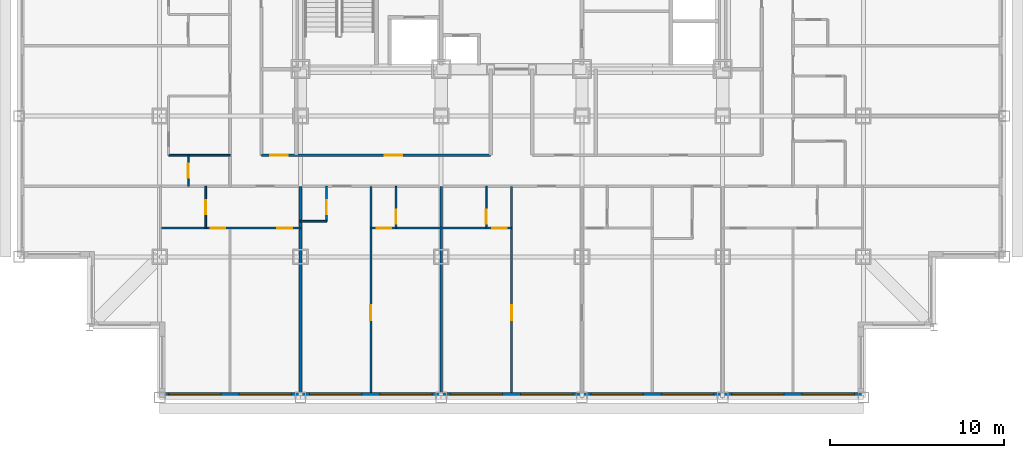
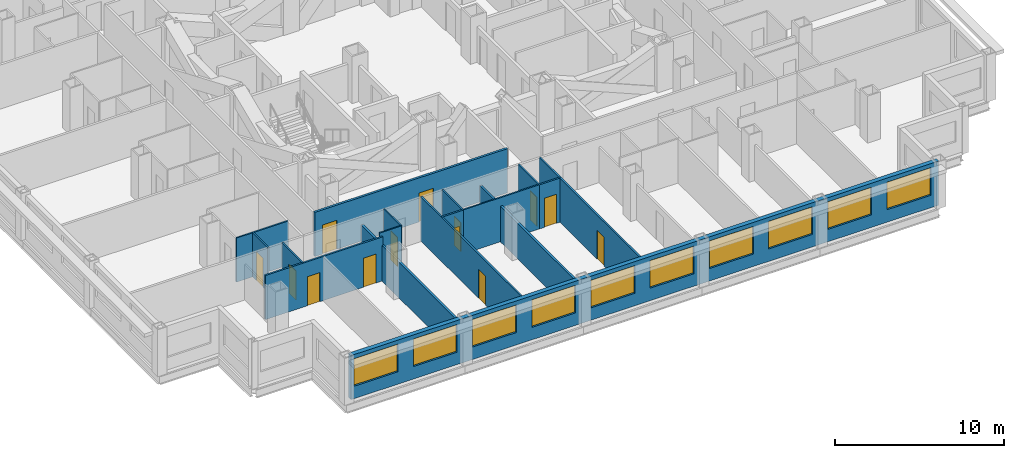
# One storey, part 4 of 12: 17 walls, 13 doors, 10 windows, 23 openings.
"""IFC4 building model written with IfcOpenShell, lengths in metres."""

from ifc_helpers import new_model, si_unit, direction, frame, frame_2d, origin, place, context, subcontext, project, spatial, rectangle, extrude, material, layer, layer_set, type_object, element, fill, save


model = new_model("IFC4")

# Units and contexts
model_context = context("Model", 3, precision=1e-05, world=origin(), true_north=direction((0.0, 1.0)))
body_context = subcontext(model_context, "Body", "Model", "MODEL_VIEW")
ifc_project = project(units=[si_unit("LENGTHUNIT", "METRE"), si_unit("AREAUNIT", "SQUARE_METRE"), si_unit("VOLUMEUNIT", "CUBIC_METRE"), si_unit("PLANEANGLEUNIT", "RADIAN"), si_unit("MASSUNIT", "GRAM", prefix="KILO")], contexts=[model_context])

# Site, building, storey
site_placement = place(None, origin())
site = spatial("IfcSite", under=ifc_project, at=site_placement, CompositionType="ELEMENT")
building_placement = place(site_placement, origin())
building = spatial("IfcBuilding", under=site, at=building_placement, Name="Kopane Lantern Tower", CompositionType="ELEMENT")
storey_placement = place(building_placement, frame((0.0, 0.0, 117.0)))
storey = spatial("IfcBuildingStorey", under=building, at=storey_placement, Name="L29", CompositionType="ELEMENT", Elevation=117.0)

# Wall, opening, door
ifc_material_1 = material(Name="Gypsum board on steel studs", Category="steel")
ifc_layer_1 = layer(ifc_material_1, 0.1201171875)
ifc_layer_set_1 = layer_set([ifc_layer_1], Name="APARTMENT INTERNAL WALL 120")
wall_type_1 = type_object("IfcWallType", Name="APARTMENT INTERNAL WALL 120", PredefinedType="PARTITIONING", material=ifc_layer_set_1)
wall_1_placement = place(storey_placement, frame((20.25, 17.550048828125, 0.0), z_axis=(0.0, 0.0, 1.0), x_axis=(0.0, -1.0, 0.0)))
wall_1 = element("IfcWall", 1, at=wall_1_placement, inside=storey, type_object=wall_type_1, Name="Apartment Internal Wall 120 L29", PredefinedType="PARTITIONING", context=body_context, shape_type="SweptSolid", body=[
    extrude(rectangle(XDim=11.85009765625, YDim=0.1201171875, at=frame_2d((5.925048828125, 0.0))), origin(), (0.0, 0.0, 1.0), 3.18994140625),
])
opening_1_placement = place(wall_1_placement, frame((6.85009765625, 0.0, 0.0)))
opening_1 = element("IfcOpeningElement", 2, at=opening_1_placement, cuts=wall_1, Name="Opening L29-016", PredefinedType="OPENING", context=body_context, shape_type="SweptSolid", body=[
    extrude(rectangle(XDim=0.85009765625, YDim=2.10009765625, at=frame_2d((0.425048828125, 1.050048828125))), frame((0.0, 0.070068359375, 0.0), z_axis=(0.0, -1.0, 0.0), x_axis=(1.0, 0.0, 0.0)), (0.0, 0.0, 1.0), 0.14013671875),
])
ifc_material_2 = material(Name="Timber door set", Category="wood")
door_type_1 = type_object("IfcDoorType", Name="DOOR D4 850x2100", OperationType="SINGLE_SWING_LEFT", PredefinedType="DOOR", material=ifc_material_2)
door_1_placement = place(opening_1_placement, origin())
door_1 = element("IfcDoor", 3, at=door_1_placement, inside=storey, type_object=door_type_1, Name="Door L29-016", OperationType="SINGLE_SWING_LEFT", OverallHeight=2.10009765625, OverallWidth=0.85009765625, PredefinedType="DOOR", context=body_context, shape_type="SweptSolid", body=[
    extrude(rectangle(XDim=0.85009765625, YDim=2.10009765625, at=frame_2d((0.425048828125, 1.050048828125))), frame((0.0, 0.02490234375, 0.0), z_axis=(0.0, -1.0, 0.0), x_axis=(1.0, 0.0, 0.0)), (0.0, 0.0, 1.0), 0.050048828125),
])
fill(opening_1, door_1)

wall_2_placement = place(storey_placement, frame((28.35009765625, 17.550048828125, 0.0), z_axis=(0.0, 0.0, 1.0), x_axis=(0.0, -1.0, 0.0)))
wall_2 = element("IfcWall", 4, at=wall_2_placement, inside=storey, type_object=wall_type_1, Name="Apartment Internal Wall 120 L29", PredefinedType="PARTITIONING", context=body_context, shape_type="SweptSolid", body=[
    extrude(rectangle(XDim=11.85009765625, YDim=0.1201171875, at=frame_2d((5.925048828125, 0.0))), origin(), (0.0, 0.0, 1.0), 3.18994140625),
])
opening_2_placement = place(wall_2_placement, frame((6.85009765625, 0.0, 0.0)))
opening_2 = element("IfcOpeningElement", 5, at=opening_2_placement, cuts=wall_2, Name="Opening L29-019", PredefinedType="OPENING", context=body_context, shape_type="SweptSolid", body=[
    extrude(rectangle(XDim=0.85009765625, YDim=2.10009765625, at=frame_2d((0.425048828125, 1.050048828125))), frame((0.0, 0.070068359375, 0.0), z_axis=(0.0, -1.0, 0.0), x_axis=(1.0, 0.0, 0.0)), (0.0, 0.0, 1.0), 0.14013671875),
])
door_2_placement = place(opening_2_placement, origin())
door_2 = element("IfcDoor", 6, at=door_2_placement, inside=storey, type_object=door_type_1, Name="Door L29-019", OperationType="SINGLE_SWING_RIGHT", OverallHeight=2.10009765625, OverallWidth=0.85009765625, PredefinedType="DOOR", context=body_context, shape_type="SweptSolid", body=[
    extrude(rectangle(XDim=0.85009765625, YDim=2.10009765625, at=frame_2d((0.425048828125, 1.050048828125))), frame((0.0, 0.02490234375, 0.0), z_axis=(0.0, -1.0, 0.0), x_axis=(1.0, 0.0, 0.0)), (0.0, 0.0, 1.0), 0.050048828125),
])
fill(opening_2, door_2)

# Wall, openings, doors
wall_3_placement = place(storey_placement, frame((8.14990234375, 15.14990234375, 0.0), z_axis=(0.0, 0.0, 1.0), x_axis=(1.0, 0.0, 0.0)))
wall_3 = element("IfcWall", 7, at=wall_3_placement, inside=storey, type_object=wall_type_1, Name="Apartment Internal Wall 120 L29", PredefinedType="PARTITIONING", context=body_context, shape_type="SweptSolid", body=[
    extrude(rectangle(XDim=8.050048828125, YDim=0.1201171875, at=frame_2d((4.02490234375, 0.0))), origin(), (0.0, 0.0, 1.0), 3.18994140625),
])
opening_3_placement = place(wall_3_placement, frame((6.72509765625, 0.0, 0.0)))
opening_3 = element("IfcOpeningElement", 8, at=opening_3_placement, cuts=wall_3, Name="Opening L29-060", PredefinedType="OPENING", context=body_context, shape_type="SweptSolid", body=[
    extrude(rectangle(XDim=0.85009765625, YDim=2.10009765625, at=frame_2d((0.425048828125, 1.050048828125))), frame((0.0, 0.070068359375, 0.0), z_axis=(0.0, -1.0, 0.0), x_axis=(1.0, 0.0, 0.0)), (0.0, 0.0, 1.0), 0.14013671875),
])
opening_4_placement = place(wall_3_placement, frame((2.875, 0.0, 0.0)))
opening_4 = element("IfcOpeningElement", 9, at=opening_4_placement, cuts=wall_3, Name="Opening L29-062", PredefinedType="OPENING", context=body_context, shape_type="SweptSolid", body=[
    extrude(rectangle(XDim=0.85009765625, YDim=2.10009765625, at=frame_2d((0.425048828125, 1.050048828125))), frame((0.0, 0.070068359375, 0.0), z_axis=(0.0, -1.0, 0.0), x_axis=(1.0, 0.0, 0.0)), (0.0, 0.0, 1.0), 0.14013671875),
])
door_3_placement = place(opening_3_placement, origin())
door_3 = element("IfcDoor", 10, at=door_3_placement, inside=storey, type_object=door_type_1, Name="Door L29-060", OperationType="SINGLE_SWING_RIGHT", OverallHeight=2.10009765625, OverallWidth=0.85009765625, PredefinedType="DOOR", context=body_context, shape_type="SweptSolid", body=[
    extrude(rectangle(XDim=0.85009765625, YDim=2.10009765625, at=frame_2d((0.425048828125, 1.050048828125))), frame((0.0, 0.02490234375, 0.0), z_axis=(0.0, -1.0, 0.0), x_axis=(1.0, 0.0, 0.0)), (0.0, 0.0, 1.0), 0.050048828125),
])
fill(opening_3, door_3)
door_4_placement = place(opening_4_placement, origin())
door_4 = element("IfcDoor", 11, at=door_4_placement, inside=storey, type_object=door_type_1, Name="Door L29-062", OperationType="SINGLE_SWING_LEFT", OverallHeight=2.10009765625, OverallWidth=0.85009765625, PredefinedType="DOOR", context=body_context, shape_type="SweptSolid", body=[
    extrude(rectangle(XDim=0.85009765625, YDim=2.10009765625, at=frame_2d((0.425048828125, 1.050048828125))), frame((0.0, 0.02490234375, 0.0), z_axis=(0.0, -1.0, 0.0), x_axis=(1.0, 0.0, 0.0)), (0.0, 0.0, 1.0), 0.050048828125),
])
fill(opening_4, door_4)

# Wall, opening, door
wall_4_placement = place(storey_placement, frame((21.7099609375, 15.14990234375, 0.0), z_axis=(0.0, 0.0, 1.0), x_axis=(-1.0, 0.0, 0.0)))
wall_4 = element("IfcWall", 12, at=wall_4_placement, inside=storey, type_object=wall_type_1, Name="Apartment Internal Wall 120 L29", PredefinedType="PARTITIONING", context=body_context, shape_type="SweptSolid", body=[
    extrude(rectangle(XDim=1.4599609375, YDim=0.1201171875, at=frame_2d((0.72998046875, 0.0))), origin(), (0.0, 0.0, 1.0), 3.18994140625),
])
opening_5_placement = place(wall_4_placement, frame((0.27490234375, 0.0, 0.0)))
opening_5 = element("IfcOpeningElement", 13, at=opening_5_placement, cuts=wall_4, Name="Opening L29-075", PredefinedType="OPENING", context=body_context, shape_type="SweptSolid", body=[
    extrude(rectangle(XDim=0.85009765625, YDim=2.10009765625, at=frame_2d((0.425048828125, 1.050048828125))), frame((0.0, 0.070068359375, 0.0), z_axis=(0.0, -1.0, 0.0), x_axis=(1.0, 0.0, 0.0)), (0.0, 0.0, 1.0), 0.14013671875),
])
door_5_placement = place(opening_5_placement, origin())
door_5 = element("IfcDoor", 14, at=door_5_placement, inside=storey, type_object=door_type_1, Name="Door L29-075", OperationType="SINGLE_SWING_RIGHT", OverallHeight=2.10009765625, OverallWidth=0.85009765625, PredefinedType="DOOR", context=body_context, shape_type="SweptSolid", body=[
    extrude(rectangle(XDim=0.85009765625, YDim=2.10009765625, at=frame_2d((0.425048828125, 1.050048828125))), frame((0.0, 0.02490234375, 0.0), z_axis=(0.0, -1.0, 0.0), x_axis=(1.0, 0.0, 0.0)), (0.0, 0.0, 1.0), 0.050048828125),
])
fill(opening_5, door_5)

wall_5_placement = place(storey_placement, frame((28.35009765625, 15.14990234375, 0.0), z_axis=(0.0, 0.0, 1.0), x_axis=(-1.0, 0.0, 0.0)))
wall_5 = element("IfcWall", 15, at=wall_5_placement, inside=storey, type_object=wall_type_1, Name="Apartment Internal Wall 120 L29", PredefinedType="PARTITIONING", context=body_context, shape_type="SweptSolid", body=[
    extrude(rectangle(XDim=1.460205078125, YDim=0.1201171875, at=frame_2d((0.72998046875, 0.0))), origin(), (0.0, 0.0, 1.0), 3.18994140625),
])
opening_6_placement = place(wall_5_placement, frame((0.27490234375, 0.0, 0.0)))
opening_6 = element("IfcOpeningElement", 16, at=opening_6_placement, cuts=wall_5, Name="Opening L29-076", PredefinedType="OPENING", context=body_context, shape_type="SweptSolid", body=[
    extrude(rectangle(XDim=0.85009765625, YDim=2.10009765625, at=frame_2d((0.425048828125, 1.050048828125))), frame((0.0, 0.070068359375, 0.0), z_axis=(0.0, -1.0, 0.0), x_axis=(1.0, 0.0, 0.0)), (0.0, 0.0, 1.0), 0.14013671875),
])
door_6_placement = place(opening_6_placement, origin())
door_6 = element("IfcDoor", 17, at=door_6_placement, inside=storey, type_object=door_type_1, Name="Door L29-076", OperationType="SINGLE_SWING_LEFT", OverallHeight=2.10009765625, OverallWidth=0.85009765625, PredefinedType="DOOR", context=body_context, shape_type="SweptSolid", body=[
    extrude(rectangle(XDim=0.85009765625, YDim=2.10009765625, at=frame_2d((0.425048828125, 1.050048828125))), frame((0.0, 0.02490234375, 0.0), z_axis=(0.0, -1.0, 0.0), x_axis=(1.0, 0.0, 0.0)), (0.0, 0.0, 1.0), 0.050048828125),
])
fill(opening_6, door_6)

# Wall
ifc_material_3 = material(Name="Moisture-resistant board on steel studs", Category="steel")
ifc_layer_2 = layer(ifc_material_3, 0.10009765625)
ifc_layer_set_2 = layer_set([ifc_layer_2], Name="BATHROOM WALL 100")
wall_type_2 = type_object("IfcWallType", Name="BATHROOM WALL 100", PredefinedType="PARTITIONING", material=ifc_layer_set_2)
wall_6_placement = place(storey_placement, frame((16.199951171875, 15.550048828125, 0.0), z_axis=(0.0, 0.0, 1.0), x_axis=(1.0, 0.0, 0.0)))
element("IfcWall", 18, at=wall_6_placement, inside=storey, type_object=wall_type_2, Name="Bathroom Wall 100 L29", PredefinedType="PARTITIONING", context=body_context, shape_type="SweptSolid", body=[
    extrude(rectangle(XDim=1.5, YDim=0.10009765625, at=frame_2d((0.75, 0.0))), origin(), (0.0, 0.0, 1.0), 3.18994140625),
])

# Wall, opening, door
wall_7_placement = place(storey_placement, frame((17.699951171875, 17.550048828125, 0.0), z_axis=(0.0, 0.0, 1.0), x_axis=(0.0, -1.0, 0.0)))
wall_7 = element("IfcWall", 19, at=wall_7_placement, inside=storey, type_object=wall_type_2, Name="Bathroom Wall 100 L29", PredefinedType="PARTITIONING", context=body_context, shape_type="SweptSolid", body=[
    extrude(rectangle(XDim=2.0, YDim=0.10009765625, at=frame_2d((1.0, 0.0))), origin(), (0.0, 0.0, 1.0), 3.18994140625),
])
opening_7_placement = place(wall_7_placement, frame((0.800048828125, 0.0, 0.0)))
opening_7 = element("IfcOpeningElement", 20, at=opening_7_placement, cuts=wall_7, Name="Opening L29-013", PredefinedType="OPENING", context=body_context, shape_type="SweptSolid", body=[
    extrude(rectangle(XDim=0.800048828125, YDim=2.10009765625, at=frame_2d((0.39990234375, 1.050048828125))), frame((0.0, 0.06005859375, 0.0), z_axis=(0.0, -1.0, 0.0), x_axis=(1.0, 0.0, 0.0)), (0.0, 0.0, 1.0), 0.1201171875),
])
ifc_material_4 = material(Name="Timber door set", Category="wood")
door_type_2 = type_object("IfcDoorType", Name="DOOR D2 800x2100", OperationType="SINGLE_SWING_LEFT", PredefinedType="DOOR", material=ifc_material_4)
door_7_placement = place(opening_7_placement, origin())
door_7 = element("IfcDoor", 21, at=door_7_placement, inside=storey, type_object=door_type_2, Name="Door L29-013", OperationType="SINGLE_SWING_LEFT", OverallHeight=2.10009765625, OverallWidth=0.800048828125, PredefinedType="DOOR", context=body_context, shape_type="SweptSolid", body=[
    extrude(rectangle(XDim=0.800048828125, YDim=2.10009765625, at=frame_2d((0.39990234375, 1.050048828125))), frame((0.0, 0.02490234375, 0.0), z_axis=(0.0, -1.0, 0.0), x_axis=(1.0, 0.0, 0.0)), (0.0, 0.0, 1.0), 0.050048828125),
])
fill(opening_7, door_7)

# Wall
wall_8_placement = place(storey_placement, frame((21.699951171875, 15.14990234375, 0.0), z_axis=(0.0, 0.0, 1.0), x_axis=(1.0, 0.0, 0.0)))
element("IfcWall", 22, at=wall_8_placement, inside=storey, type_object=wall_type_2, Name="Bathroom Wall 100 L29", PredefinedType="PARTITIONING", context=body_context, shape_type="SweptSolid", body=[
    extrude(rectangle(XDim=5.199951171875, YDim=0.10009765625, at=frame_2d((2.60009765625, 0.0))), origin(), (0.0, 0.0, 1.0), 3.18994140625),
])

# Wall, opening, door
wall_9_placement = place(storey_placement, frame((21.699951171875, 17.550048828125, 0.0), z_axis=(0.0, 0.0, 1.0), x_axis=(0.0, -1.0, 0.0)))
wall_9 = element("IfcWall", 23, at=wall_9_placement, inside=storey, type_object=wall_type_2, Name="Bathroom Wall 100 L29", PredefinedType="PARTITIONING", context=body_context, shape_type="SweptSolid", body=[
    extrude(rectangle(XDim=2.400146484375, YDim=0.10009765625, at=frame_2d((1.2001953125, 0.0))), origin(), (0.0, 0.0, 1.0), 3.18994140625),
])
opening_8_placement = place(wall_9_placement, frame((1.35009765625, 0.0, 0.0)))
opening_8 = element("IfcOpeningElement", 24, at=opening_8_placement, cuts=wall_9, Name="Opening L29-015", PredefinedType="OPENING", context=body_context, shape_type="SweptSolid", body=[
    extrude(rectangle(XDim=0.800048828125, YDim=2.10009765625, at=frame_2d((0.39990234375, 1.050048828125))), frame((0.0, 0.06005859375, 0.0), z_axis=(0.0, -1.0, 0.0), x_axis=(1.0, 0.0, 0.0)), (0.0, 0.0, 1.0), 0.1201171875),
])
door_8_placement = place(opening_8_placement, origin())
door_8 = element("IfcDoor", 25, at=door_8_placement, inside=storey, type_object=door_type_2, Name="Door L29-015", OperationType="SINGLE_SWING_LEFT", OverallHeight=2.10009765625, OverallWidth=0.800048828125, PredefinedType="DOOR", context=body_context, shape_type="SweptSolid", body=[
    extrude(rectangle(XDim=0.800048828125, YDim=2.10009765625, at=frame_2d((0.39990234375, 1.050048828125))), frame((0.0, 0.02490234375, 0.0), z_axis=(0.0, -1.0, 0.0), x_axis=(1.0, 0.0, 0.0)), (0.0, 0.0, 1.0), 0.050048828125),
])
fill(opening_8, door_8)

wall_10_placement = place(storey_placement, frame((26.89990234375, 17.550048828125, 0.0), z_axis=(0.0, 0.0, 1.0), x_axis=(0.0, -1.0, 0.0)))
wall_10 = element("IfcWall", 26, at=wall_10_placement, inside=storey, type_object=wall_type_2, Name="Bathroom Wall 100 L29", PredefinedType="PARTITIONING", context=body_context, shape_type="SweptSolid", body=[
    extrude(rectangle(XDim=2.400146484375, YDim=0.10009765625, at=frame_2d((1.2001953125, 0.0))), origin(), (0.0, 0.0, 1.0), 3.18994140625),
])
opening_9_placement = place(wall_10_placement, frame((1.35009765625, 0.0, 0.0)))
opening_9 = element("IfcOpeningElement", 27, at=opening_9_placement, cuts=wall_10, Name="Opening L29-018", PredefinedType="OPENING", context=body_context, shape_type="SweptSolid", body=[
    extrude(rectangle(XDim=0.800048828125, YDim=2.10009765625, at=frame_2d((0.39990234375, 1.050048828125))), frame((0.0, 0.06005859375, 0.0), z_axis=(0.0, -1.0, 0.0), x_axis=(1.0, 0.0, 0.0)), (0.0, 0.0, 1.0), 0.1201171875),
])
door_9_placement = place(opening_9_placement, origin())
door_9 = element("IfcDoor", 28, at=door_9_placement, inside=storey, type_object=door_type_2, Name="Door L29-018", OperationType="SINGLE_SWING_RIGHT", OverallHeight=2.10009765625, OverallWidth=0.800048828125, PredefinedType="DOOR", context=body_context, shape_type="SweptSolid", body=[
    extrude(rectangle(XDim=0.800048828125, YDim=2.10009765625, at=frame_2d((0.39990234375, 1.050048828125))), frame((0.0, 0.02490234375, 0.0), z_axis=(0.0, -1.0, 0.0), x_axis=(1.0, 0.0, 0.0)), (0.0, 0.0, 1.0), 0.050048828125),
])
fill(opening_9, door_9)

wall_11_placement = place(storey_placement, frame((9.75, 17.550048828125, 0.0), z_axis=(0.0, 0.0, 1.0), x_axis=(0.0, 1.0, 0.0)))
wall_11 = element("IfcWall", 29, at=wall_11_placement, inside=storey, type_object=wall_type_2, Name="Bathroom Wall 100 L29", PredefinedType="PARTITIONING", context=body_context, shape_type="SweptSolid", body=[
    extrude(rectangle(XDim=1.800048828125, YDim=0.10009765625, at=frame_2d((0.89990234375, 0.0))), origin(), (0.0, 0.0, 1.0), 3.18994140625),
])
opening_10_placement = place(wall_11_placement, frame((0.5, 0.0, 0.0)))
opening_10 = element("IfcOpeningElement", 30, at=opening_10_placement, cuts=wall_11, Name="Opening L29-036", PredefinedType="OPENING", context=body_context, shape_type="SweptSolid", body=[
    extrude(rectangle(XDim=0.800048828125, YDim=2.10009765625, at=frame_2d((0.39990234375, 1.050048828125))), frame((0.0, 0.06005859375, 0.0), z_axis=(0.0, -1.0, 0.0), x_axis=(1.0, 0.0, 0.0)), (0.0, 0.0, 1.0), 0.1201171875),
])
door_10_placement = place(opening_10_placement, origin())
door_10 = element("IfcDoor", 31, at=door_10_placement, inside=storey, type_object=door_type_2, Name="Door L29-036", OperationType="SINGLE_SWING_RIGHT", OverallHeight=2.10009765625, OverallWidth=0.800048828125, PredefinedType="DOOR", context=body_context, shape_type="SweptSolid", body=[
    extrude(rectangle(XDim=0.800048828125, YDim=2.10009765625, at=frame_2d((0.39990234375, 1.050048828125))), frame((0.0, 0.02490234375, 0.0), z_axis=(0.0, -1.0, 0.0), x_axis=(1.0, 0.0, 0.0)), (0.0, 0.0, 1.0), 0.050048828125),
])
fill(opening_10, door_10)

# Wall
wall_12_placement = place(storey_placement, frame((12.14990234375, 19.35009765625, 0.0), z_axis=(0.0, 0.0, 1.0), x_axis=(-1.0, 0.0, 0.0)))
element("IfcWall", 32, at=wall_12_placement, inside=storey, type_object=wall_type_2, Name="Bathroom Wall 100 L29", PredefinedType="PARTITIONING", context=body_context, shape_type="SweptSolid", body=[
    extrude(rectangle(XDim=3.539794921875, YDim=0.10009765625, at=frame_2d((1.77001953125, 0.0))), origin(), (0.0, 0.0, 1.0), 3.18994140625),
])

# Wall, opening, door
wall_13_placement = place(storey_placement, frame((10.75, 17.550048828125, 0.0), z_axis=(0.0, 0.0, 1.0), x_axis=(0.0, -1.0, 0.0)))
wall_13 = element("IfcWall", 33, at=wall_13_placement, inside=storey, type_object=wall_type_2, Name="Bathroom Wall 100 L29", PredefinedType="PARTITIONING", context=body_context, shape_type="SweptSolid", body=[
    extrude(rectangle(XDim=2.400146484375, YDim=0.10009765625, at=frame_2d((1.2001953125, 0.0))), origin(), (0.0, 0.0, 1.0), 3.18994140625),
])
opening_11_placement = place(wall_13_placement, frame((0.800048828125, 0.0, 0.0)))
opening_11 = element("IfcOpeningElement", 34, at=opening_11_placement, cuts=wall_13, Name="Opening L29-061", PredefinedType="OPENING", context=body_context, shape_type="SweptSolid", body=[
    extrude(rectangle(XDim=0.800048828125, YDim=2.10009765625, at=frame_2d((0.39990234375, 1.050048828125))), frame((0.0, 0.06005859375, 0.0), z_axis=(0.0, -1.0, 0.0), x_axis=(1.0, 0.0, 0.0)), (0.0, 0.0, 1.0), 0.1201171875),
])
door_11_placement = place(opening_11_placement, origin())
door_11 = element("IfcDoor", 35, at=door_11_placement, inside=storey, type_object=door_type_2, Name="Door L29-061", OperationType="SINGLE_SWING_RIGHT", OverallHeight=2.10009765625, OverallWidth=0.800048828125, PredefinedType="DOOR", context=body_context, shape_type="SweptSolid", body=[
    extrude(rectangle(XDim=0.800048828125, YDim=2.10009765625, at=frame_2d((0.39990234375, 1.050048828125))), frame((0.0, 0.02490234375, 0.0), z_axis=(0.0, -1.0, 0.0), x_axis=(1.0, 0.0, 0.0)), (0.0, 0.0, 1.0), 0.050048828125),
])
fill(opening_11, door_11)

# Wall, openings, doors
ifc_material_5 = material(Name="Gypsum board on steel studs", Category="steel")
ifc_layer_3 = layer(ifc_material_5, 0.14990234375)
ifc_layer_set_3 = layer_set([ifc_layer_3], Name="CORRIDOR WALL 150 EI 60")
wall_type_3 = type_object("IfcWallType", Name="CORRIDOR WALL 150 EI 60", PredefinedType="PARTITIONING", material=ifc_layer_set_3)
wall_14_placement = place(storey_placement, frame((13.949951171875, 19.35009765625, 0.0), z_axis=(0.0, 0.0, 1.0), x_axis=(1.0, 0.0, 0.0)))
wall_14 = element("IfcWall", 36, at=wall_14_placement, inside=storey, type_object=wall_type_3, Name="Corridor Wall 150 Ei 60 L29", PredefinedType="PARTITIONING", context=body_context, shape_type="SweptSolid", body=[
    extrude(rectangle(XDim=13.18994140625, YDim=0.14990234375, at=frame_2d((6.594970703125, 0.0))), origin(), (0.0, 0.0, 1.0), 3.18994140625),
])
opening_12_placement = place(wall_14_placement, frame((0.510009765625, 0.0, 0.0)))
opening_12 = element("IfcOpeningElement", 37, at=opening_12_placement, cuts=wall_14, Name="Opening L29-005", PredefinedType="OPENING", context=body_context, shape_type="SweptSolid", body=[
    extrude(rectangle(XDim=1.0, YDim=2.10009765625, at=frame_2d((0.5, 1.050048828125))), frame((0.0, 0.0849609375, 0.0), z_axis=(0.0, -1.0, 0.0), x_axis=(1.0, 0.0, 0.0)), (0.0, 0.0, 1.0), 0.169921875),
])
opening_13_placement = place(wall_14_placement, frame((7.110107421875, 0.0, 0.0)))
opening_13 = element("IfcOpeningElement", 38, at=opening_13_placement, cuts=wall_14, Name="Opening L29-006", PredefinedType="OPENING", context=body_context, shape_type="SweptSolid", body=[
    extrude(rectangle(XDim=1.0, YDim=2.10009765625, at=frame_2d((0.5, 1.050048828125))), frame((0.0, 0.0849609375, 0.0), z_axis=(0.0, -1.0, 0.0), x_axis=(1.0, 0.0, 0.0)), (0.0, 0.0, 1.0), 0.169921875),
])
ifc_material_6 = material(Name="Steel door set", Category="steel")
door_type_3 = type_object("IfcDoorType", Name="DOOR D5 1000x2100 FD60", OperationType="SINGLE_SWING_LEFT", PredefinedType="DOOR", material=ifc_material_6)
door_12_placement = place(opening_12_placement, origin())
door_12 = element("IfcDoor", 39, at=door_12_placement, inside=storey, type_object=door_type_3, Name="Door L29-005", OperationType="SINGLE_SWING_LEFT", OverallHeight=2.10009765625, OverallWidth=1.0, PredefinedType="DOOR", context=body_context, shape_type="SweptSolid", body=[
    extrude(rectangle(XDim=1.0, YDim=2.10009765625, at=frame_2d((0.5, 1.050048828125))), frame((0.0, 0.02490234375, 0.0), z_axis=(0.0, -1.0, 0.0), x_axis=(1.0, 0.0, 0.0)), (0.0, 0.0, 1.0), 0.050048828125),
])
fill(opening_12, door_12)
door_13_placement = place(opening_13_placement, origin())
door_13 = element("IfcDoor", 40, at=door_13_placement, inside=storey, type_object=door_type_3, Name="Door L29-006", OperationType="SINGLE_SWING_RIGHT", OverallHeight=2.10009765625, OverallWidth=1.0, PredefinedType="DOOR", context=body_context, shape_type="SweptSolid", body=[
    extrude(rectangle(XDim=1.0, YDim=2.10009765625, at=frame_2d((0.5, 1.050048828125))), frame((0.0, 0.02490234375, 0.0), z_axis=(0.0, -1.0, 0.0), x_axis=(1.0, 0.0, 0.0)), (0.0, 0.0, 1.0), 0.050048828125),
])
fill(opening_13, door_13)

# Walls
ifc_material_7 = material(Name="Gypsum board on steel studs", Category="steel")
ifc_layer_4 = layer(ifc_material_7, 0.14990234375)
ifc_layer_set_4 = layer_set([ifc_layer_4], Name="DEMISING WALL 150 EI 60")
wall_type_4 = type_object("IfcWallType", Name="DEMISING WALL 150 EI 60", PredefinedType="PARTITIONING", material=ifc_layer_set_4)
for number, where, z_axis, x_axis, name in (
    (41, (24.300048828125, 17.550048828125, 0.0), (0.0, 0.0, 1.0), (0.0, -1.0, 0.0), "Demising Wall 150 Ei 60 L29"),
    (42, (16.199951171875, 17.550048828125, 0.0), (0.0, 0.0, 1.0), (0.0, -1.0, 0.0), "Demising Wall 150 Ei 60 L29"),
):
    element("IfcWall", number, at=place(storey_placement, frame(where, z_axis=z_axis, x_axis=x_axis)), inside=storey, type_object=wall_type_4, Name=name, PredefinedType="PARTITIONING", context=body_context, shape_type="SweptSolid", body=[
        extrude(rectangle(XDim=11.85009765625, YDim=0.14990234375, at=frame_2d((5.925048828125, 0.0))), origin(), (0.0, 0.0, 1.0), 2.577880859375),
    ])

# Wall, openings, windows
ifc_material_8 = material(Name="Terracotta rainscreen on light steel framing", Category="masonry")
ifc_layer_5 = layer(ifc_material_8, 0.300048828125)
ifc_layer_set_5 = layer_set([ifc_layer_5], Name="EXTERNAL WALL EW1 300 TERRACOTTA")
wall_type_5 = type_object("IfcWallType", Name="EXTERNAL WALL EW1 300 TERRACOTTA", PredefinedType="SOLIDWALL", material=ifc_layer_set_5)
wall_15_placement = place(storey_placement, frame((8.39990234375, 5.550048828125, 0.0), z_axis=(0.0, 0.0, 1.0), x_axis=(1.0, 0.0, 0.0)))
wall_15 = element("IfcWall", 43, at=wall_15_placement, inside=storey, type_object=wall_type_5, Name="External wall S L29", PredefinedType="SOLIDWALL", context=body_context, shape_type="SweptSolid", body=[
    extrude(rectangle(XDim=40.2001953125, YDim=0.300048828125, at=frame_2d((20.10009765625, 0.0))), origin(), (0.0, 0.0, 1.0), 3.18994140625),
])
opening_14_placement = place(wall_15_placement, frame((0.22509765625, 0.0, 0.89990234375)))
opening_14 = element("IfcOpeningElement", 44, at=opening_14_placement, cuts=wall_15, Name="Opening WR300200", PredefinedType="OPENING", context=body_context, shape_type="SweptSolid", body=[
    extrude(rectangle(XDim=3.0, YDim=2.0, at=frame_2d((1.5, 1.0))), frame((0.0, 0.159912109375, 0.0), z_axis=(0.0, -1.0, 0.0), x_axis=(1.0, 0.0, 0.0)), (0.0, 0.0, 1.0), 0.320068359375),
])
opening_15_placement = place(wall_15_placement, frame((4.27490234375, 0.0, 0.89990234375)))
opening_15 = element("IfcOpeningElement", 45, at=opening_15_placement, cuts=wall_15, Name="Opening WR300200", PredefinedType="OPENING", context=body_context, shape_type="SweptSolid", body=[
    extrude(rectangle(XDim=3.0, YDim=2.0, at=frame_2d((1.5, 1.0))), frame((0.0, 0.159912109375, 0.0), z_axis=(0.0, -1.0, 0.0), x_axis=(1.0, 0.0, 0.0)), (0.0, 0.0, 1.0), 0.320068359375),
])
opening_16_placement = place(wall_15_placement, frame((8.324951171875, 0.0, 0.89990234375)))
opening_16 = element("IfcOpeningElement", 46, at=opening_16_placement, cuts=wall_15, Name="Opening WR300200", PredefinedType="OPENING", context=body_context, shape_type="SweptSolid", body=[
    extrude(rectangle(XDim=3.0, YDim=2.0, at=frame_2d((1.5, 1.0))), frame((0.0, 0.159912109375, 0.0), z_axis=(0.0, -1.0, 0.0), x_axis=(1.0, 0.0, 0.0)), (0.0, 0.0, 1.0), 0.320068359375),
])
opening_17_placement = place(wall_15_placement, frame((12.375, 0.0, 0.89990234375)))
opening_17 = element("IfcOpeningElement", 47, at=opening_17_placement, cuts=wall_15, Name="Opening WR300200", PredefinedType="OPENING", context=body_context, shape_type="SweptSolid", body=[
    extrude(rectangle(XDim=3.0, YDim=2.0, at=frame_2d((1.5, 1.0))), frame((0.0, 0.159912109375, 0.0), z_axis=(0.0, -1.0, 0.0), x_axis=(1.0, 0.0, 0.0)), (0.0, 0.0, 1.0), 0.320068359375),
])
opening_18_placement = place(wall_15_placement, frame((16.425048828125, 0.0, 0.89990234375)))
opening_18 = element("IfcOpeningElement", 48, at=opening_18_placement, cuts=wall_15, Name="Opening WR300200", PredefinedType="OPENING", context=body_context, shape_type="SweptSolid", body=[
    extrude(rectangle(XDim=3.0, YDim=2.0, at=frame_2d((1.5, 1.0))), frame((0.0, 0.159912109375, 0.0), z_axis=(0.0, -1.0, 0.0), x_axis=(1.0, 0.0, 0.0)), (0.0, 0.0, 1.0), 0.320068359375),
])
opening_19_placement = place(wall_15_placement, frame((20.47509765625, 0.0, 0.89990234375)))
opening_19 = element("IfcOpeningElement", 49, at=opening_19_placement, cuts=wall_15, Name="Opening WR300200", PredefinedType="OPENING", context=body_context, shape_type="SweptSolid", body=[
    extrude(rectangle(XDim=3.0, YDim=2.0, at=frame_2d((1.5, 1.0))), frame((0.0, 0.159912109375, 0.0), z_axis=(0.0, -1.0, 0.0), x_axis=(1.0, 0.0, 0.0)), (0.0, 0.0, 1.0), 0.320068359375),
])
opening_20_placement = place(wall_15_placement, frame((24.52490234375, 0.0, 0.89990234375)))
opening_20 = element("IfcOpeningElement", 50, at=opening_20_placement, cuts=wall_15, Name="Opening WR300200", PredefinedType="OPENING", context=body_context, shape_type="SweptSolid", body=[
    extrude(rectangle(XDim=3.0, YDim=2.0, at=frame_2d((1.5, 1.0))), frame((0.0, 0.159912109375, 0.0), z_axis=(0.0, -1.0, 0.0), x_axis=(1.0, 0.0, 0.0)), (0.0, 0.0, 1.0), 0.320068359375),
])
opening_21_placement = place(wall_15_placement, frame((28.574951171875, 0.0, 0.89990234375)))
opening_21 = element("IfcOpeningElement", 51, at=opening_21_placement, cuts=wall_15, Name="Opening WR300200", PredefinedType="OPENING", context=body_context, shape_type="SweptSolid", body=[
    extrude(rectangle(XDim=3.0, YDim=2.0, at=frame_2d((1.5, 1.0))), frame((0.0, 0.159912109375, 0.0), z_axis=(0.0, -1.0, 0.0), x_axis=(1.0, 0.0, 0.0)), (0.0, 0.0, 1.0), 0.320068359375),
])
opening_22_placement = place(wall_15_placement, frame((32.625, 0.0, 0.89990234375)))
opening_22 = element("IfcOpeningElement", 52, at=opening_22_placement, cuts=wall_15, Name="Opening WR300200", PredefinedType="OPENING", context=body_context, shape_type="SweptSolid", body=[
    extrude(rectangle(XDim=3.0, YDim=2.0, at=frame_2d((1.5, 1.0))), frame((0.0, 0.159912109375, 0.0), z_axis=(0.0, -1.0, 0.0), x_axis=(1.0, 0.0, 0.0)), (0.0, 0.0, 1.0), 0.320068359375),
])
opening_23_placement = place(wall_15_placement, frame((36.675048828125, 0.0, 0.89990234375)))
opening_23 = element("IfcOpeningElement", 53, at=opening_23_placement, cuts=wall_15, Name="Opening WR300200", PredefinedType="OPENING", context=body_context, shape_type="SweptSolid", body=[
    extrude(rectangle(XDim=3.0, YDim=2.0, at=frame_2d((1.5, 1.0))), frame((0.0, 0.159912109375, 0.0), z_axis=(0.0, -1.0, 0.0), x_axis=(1.0, 0.0, 0.0)), (0.0, 0.0, 1.0), 0.320068359375),
])
ifc_material_9 = material(Name="Aluminium and clear glass", Category="aluminium")
window_type = type_object("IfcWindowType", Name="RIBBON WINDOW WR300200 3000x2000", PartitioningType="SINGLE_PANEL", PredefinedType="WINDOW", material=ifc_material_9)
window_1_placement = place(opening_14_placement, origin())
window_1 = element("IfcWindow", 54, at=window_1_placement, inside=storey, type_object=window_type, Name="Window S L29", OverallHeight=2.0, OverallWidth=3.0, PartitioningType="SINGLE_PANEL", PredefinedType="WINDOW", context=body_context, shape_type="SweptSolid", body=[
    extrude(rectangle(XDim=3.0, YDim=2.0, at=frame_2d((1.5, 1.0))), frame((0.0, 0.030029296875, 0.0), z_axis=(0.0, -1.0, 0.0), x_axis=(1.0, 0.0, 0.0)), (0.0, 0.0, 1.0), 0.06005859375),
])
fill(opening_14, window_1)
window_2_placement = place(opening_15_placement, origin())
window_2 = element("IfcWindow", 55, at=window_2_placement, inside=storey, type_object=window_type, Name="Window S L29", OverallHeight=2.0, OverallWidth=3.0, PartitioningType="SINGLE_PANEL", PredefinedType="WINDOW", context=body_context, shape_type="SweptSolid", body=[
    extrude(rectangle(XDim=3.0, YDim=2.0, at=frame_2d((1.5, 1.0))), frame((0.0, 0.030029296875, 0.0), z_axis=(0.0, -1.0, 0.0), x_axis=(1.0, 0.0, 0.0)), (0.0, 0.0, 1.0), 0.06005859375),
])
fill(opening_15, window_2)
window_3_placement = place(opening_16_placement, origin())
window_3 = element("IfcWindow", 56, at=window_3_placement, inside=storey, type_object=window_type, Name="Window S L29", OverallHeight=2.0, OverallWidth=3.0, PartitioningType="SINGLE_PANEL", PredefinedType="WINDOW", context=body_context, shape_type="SweptSolid", body=[
    extrude(rectangle(XDim=3.0, YDim=2.0, at=frame_2d((1.5, 1.0))), frame((0.0, 0.030029296875, 0.0), z_axis=(0.0, -1.0, 0.0), x_axis=(1.0, 0.0, 0.0)), (0.0, 0.0, 1.0), 0.06005859375),
])
fill(opening_16, window_3)
window_4_placement = place(opening_17_placement, origin())
window_4 = element("IfcWindow", 57, at=window_4_placement, inside=storey, type_object=window_type, Name="Window S L29", OverallHeight=2.0, OverallWidth=3.0, PartitioningType="SINGLE_PANEL", PredefinedType="WINDOW", context=body_context, shape_type="SweptSolid", body=[
    extrude(rectangle(XDim=3.0, YDim=2.0, at=frame_2d((1.5, 1.0))), frame((0.0, 0.030029296875, 0.0), z_axis=(0.0, -1.0, 0.0), x_axis=(1.0, 0.0, 0.0)), (0.0, 0.0, 1.0), 0.06005859375),
])
fill(opening_17, window_4)
window_5_placement = place(opening_18_placement, origin())
window_5 = element("IfcWindow", 58, at=window_5_placement, inside=storey, type_object=window_type, Name="Window S L29", OverallHeight=2.0, OverallWidth=3.0, PartitioningType="SINGLE_PANEL", PredefinedType="WINDOW", context=body_context, shape_type="SweptSolid", body=[
    extrude(rectangle(XDim=3.0, YDim=2.0, at=frame_2d((1.5, 1.0))), frame((0.0, 0.030029296875, 0.0), z_axis=(0.0, -1.0, 0.0), x_axis=(1.0, 0.0, 0.0)), (0.0, 0.0, 1.0), 0.06005859375),
])
fill(opening_18, window_5)
window_6_placement = place(opening_19_placement, origin())
window_6 = element("IfcWindow", 59, at=window_6_placement, inside=storey, type_object=window_type, Name="Window S L29", OverallHeight=2.0, OverallWidth=3.0, PartitioningType="SINGLE_PANEL", PredefinedType="WINDOW", context=body_context, shape_type="SweptSolid", body=[
    extrude(rectangle(XDim=3.0, YDim=2.0, at=frame_2d((1.5, 1.0))), frame((0.0, 0.030029296875, 0.0), z_axis=(0.0, -1.0, 0.0), x_axis=(1.0, 0.0, 0.0)), (0.0, 0.0, 1.0), 0.06005859375),
])
fill(opening_19, window_6)
window_7_placement = place(opening_20_placement, origin())
window_7 = element("IfcWindow", 60, at=window_7_placement, inside=storey, type_object=window_type, Name="Window S L29", OverallHeight=2.0, OverallWidth=3.0, PartitioningType="SINGLE_PANEL", PredefinedType="WINDOW", context=body_context, shape_type="SweptSolid", body=[
    extrude(rectangle(XDim=3.0, YDim=2.0, at=frame_2d((1.5, 1.0))), frame((0.0, 0.030029296875, 0.0), z_axis=(0.0, -1.0, 0.0), x_axis=(1.0, 0.0, 0.0)), (0.0, 0.0, 1.0), 0.06005859375),
])
fill(opening_20, window_7)
window_8_placement = place(opening_21_placement, origin())
window_8 = element("IfcWindow", 61, at=window_8_placement, inside=storey, type_object=window_type, Name="Window S L29", OverallHeight=2.0, OverallWidth=3.0, PartitioningType="SINGLE_PANEL", PredefinedType="WINDOW", context=body_context, shape_type="SweptSolid", body=[
    extrude(rectangle(XDim=3.0, YDim=2.0, at=frame_2d((1.5, 1.0))), frame((0.0, 0.030029296875, 0.0), z_axis=(0.0, -1.0, 0.0), x_axis=(1.0, 0.0, 0.0)), (0.0, 0.0, 1.0), 0.06005859375),
])
fill(opening_21, window_8)
window_9_placement = place(opening_22_placement, origin())
window_9 = element("IfcWindow", 62, at=window_9_placement, inside=storey, type_object=window_type, Name="Window S L29", OverallHeight=2.0, OverallWidth=3.0, PartitioningType="SINGLE_PANEL", PredefinedType="WINDOW", context=body_context, shape_type="SweptSolid", body=[
    extrude(rectangle(XDim=3.0, YDim=2.0, at=frame_2d((1.5, 1.0))), frame((0.0, 0.030029296875, 0.0), z_axis=(0.0, -1.0, 0.0), x_axis=(1.0, 0.0, 0.0)), (0.0, 0.0, 1.0), 0.06005859375),
])
fill(opening_22, window_9)
window_10_placement = place(opening_23_placement, origin())
window_10 = element("IfcWindow", 63, at=window_10_placement, inside=storey, type_object=window_type, Name="Window S L29", OverallHeight=2.0, OverallWidth=3.0, PartitioningType="SINGLE_PANEL", PredefinedType="WINDOW", context=body_context, shape_type="SweptSolid", body=[
    extrude(rectangle(XDim=3.0, YDim=2.0, at=frame_2d((1.5, 1.0))), frame((0.0, 0.030029296875, 0.0), z_axis=(0.0, -1.0, 0.0), x_axis=(1.0, 0.0, 0.0)), (0.0, 0.0, 1.0), 0.06005859375),
])
fill(opening_23, window_10)

save(model, "model.ifc")
